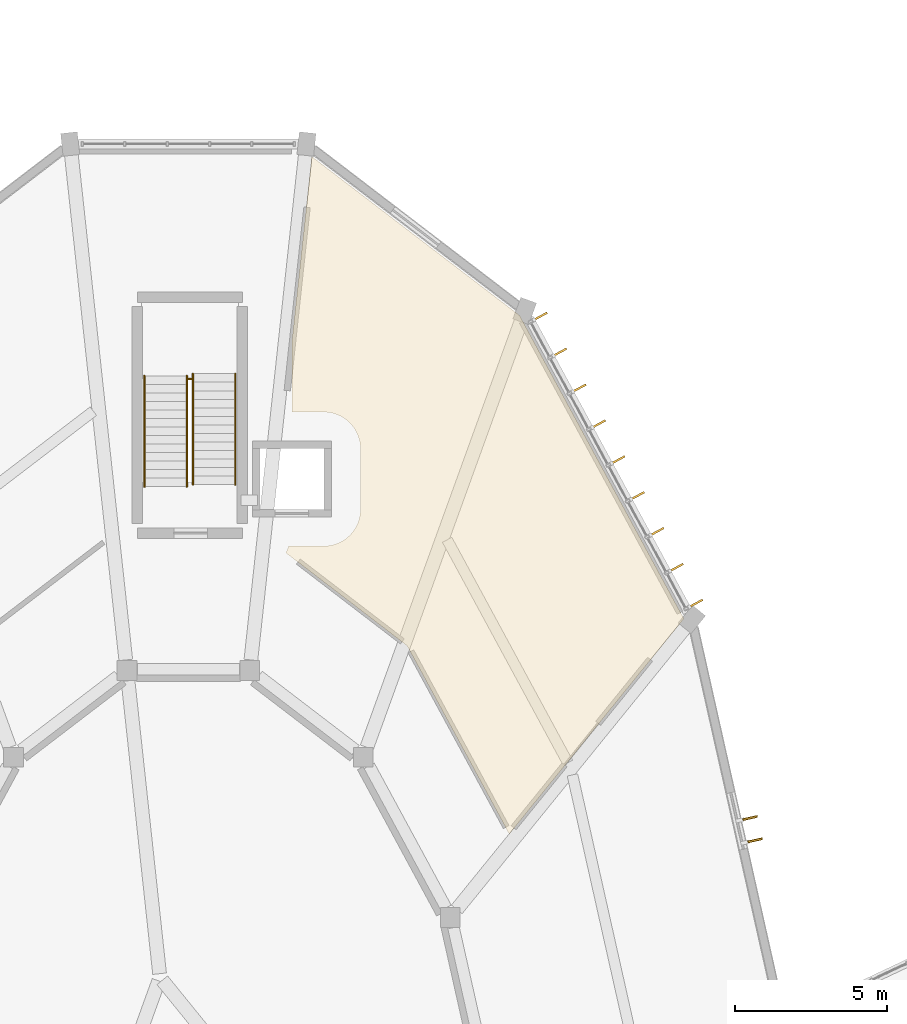
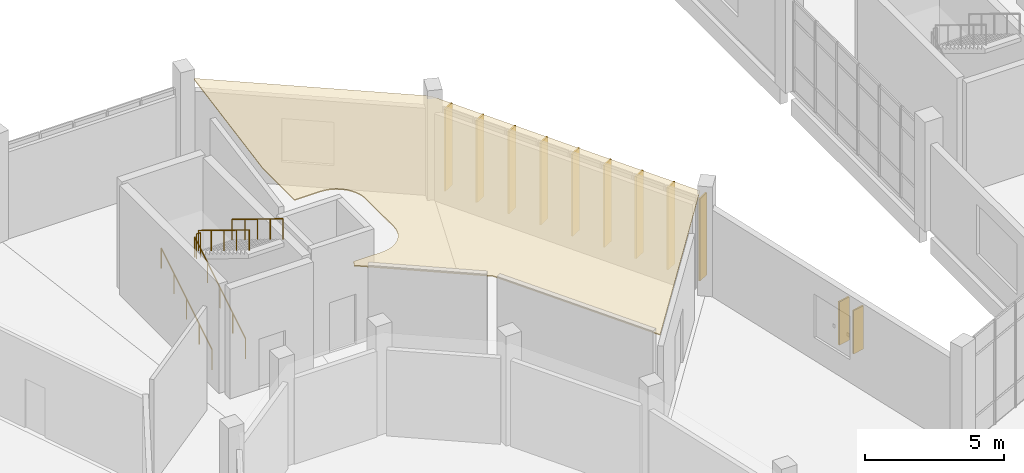
# One storey, part 174 of 179: 11 shading devices, 5 railings, 1 covering.
"""IFC4 building model written with IfcOpenShell, lengths in metres."""

from ifc_helpers import new_model, si_unit, direction, frame, origin, origin_2d, place, context, subcontext, project, spatial, polyline, rectangle, circle, outline, extrude, material, layer, layer_set, type_object, element, save


model = new_model("IFC4")

# Units and contexts
model_context = context("Model", 3, precision=1e-05, world=origin(), true_north=direction((0.0, 1.0)))
body_context = subcontext(model_context, "Body", "Model", "MODEL_VIEW")
ifc_project = project(units=[si_unit("LENGTHUNIT", "METRE"), si_unit("AREAUNIT", "SQUARE_METRE"), si_unit("VOLUMEUNIT", "CUBIC_METRE"), si_unit("PLANEANGLEUNIT", "RADIAN"), si_unit("MASSUNIT", "GRAM", prefix="KILO")], contexts=[model_context])

# Site, building, storey
site_placement = place(None, origin())
site = spatial("IfcSite", under=ifc_project, at=site_placement, CompositionType="ELEMENT")
building_placement = place(site_placement, origin())
building = spatial("IfcBuilding", under=site, at=building_placement, Name="Corvandel Quay Wholesale Market", CompositionType="ELEMENT")
storey_placement = place(building_placement, frame((0.0, 0.0, 6.0)))
storey = spatial("IfcBuildingStorey", under=building, at=storey_placement, Name="L01", CompositionType="ELEMENT", Elevation=6.0)

# Covering
ifc_material_1 = material(Name="Perforated powder-coated aluminium acoustic panel", Category="aluminium")
ifc_layer_1 = layer(ifc_material_1, 0.044921875)
ifc_layer_set_1 = layer_set([ifc_layer_1], Name="Perforated powder-coated aluminium acoustic panel")
covering_type = type_object("IfcCoveringType", Name="Perforated Acoustic Baffle Ceiling CLG01", PredefinedType="CEILING", material=ifc_layer_set_1)
covering_placement = place(storey_placement, frame((0.0, 0.0, 4.389892578125)))
element("IfcCovering", 1, at=covering_placement, inside=storey, type_object=covering_type, Name="Suspended Ceiling CLG-017", PredefinedType="CEILING", context=body_context, shape_type="SweptSolid", body=[
    extrude(outline(polyline([(205.053955078125, 73.368896484375), (205.052978515625, 73.367919921875), (205.051025390625, 73.365966796875), (205.050048828125, 73.364990234375), (205.048095703125, 73.364990234375), (205.0458984375, 73.364013671875), (205.0439453125, 73.363037109375), (205.0419921875, 73.363037109375), (205.0400390625, 73.363037109375), (205.0380859375, 73.363037109375), (205.035888671875, 73.363037109375), (205.033935546875, 73.364013671875), (205.031982421875, 73.364013671875), (205.031005859375, 73.364990234375), (205.029052734375, 73.365966796875), (205.027099609375, 73.366943359375), (205.02587890625, 73.368896484375), (205.02490234375, 73.3701171875), (205.02294921875, 73.3720703125), (205.02197265625, 73.373046875), (201.68505859375, 79.52587890625), (197.700927734375, 82.580078125), (197.762939453125, 82.7109375), (197.794921875, 82.800048828125), (198.949951171875, 82.800048828125), (199.068115234375, 82.805908203125), (199.18408203125, 82.822998046875), (199.298095703125, 82.85205078125), (199.408935546875, 82.89111328125), (199.51611328125, 82.94189453125), (199.616943359375, 83.001953125), (199.7109375, 83.072021484375), (199.799072265625, 83.15087890625), (199.8779296875, 83.239013671875), (199.947998046875, 83.3330078125), (200.008056640625, 83.43408203125), (200.05908203125, 83.541015625), (200.097900390625, 83.652099609375), (200.126953125, 83.76611328125), (200.14404296875, 83.882080078125), (200.14990234375, 84.0), (200.14990234375, 86.0), (200.14404296875, 86.117919921875), (200.126953125, 86.23388671875), (200.097900390625, 86.347900390625), (200.05908203125, 86.458984375), (200.008056640625, 86.56591796875), (199.947998046875, 86.6669921875), (199.8779296875, 86.760986328125), (199.799072265625, 86.84912109375), (199.7109375, 86.927978515625), (199.616943359375, 86.998046875), (199.51611328125, 87.05810546875), (199.408935546875, 87.10888671875), (199.298095703125, 87.14794921875), (199.18408203125, 87.177001953125), (199.068115234375, 87.194091796875), (198.949951171875, 87.199951171875), (197.89990234375, 87.199951171875), (197.89990234375, 89.4990234375), (198.552001953125, 95.552001953125), (198.552001953125, 95.553955078125), (198.552978515625, 95.555908203125), (198.553955078125, 95.55810546875), (198.553955078125, 95.55908203125), (198.554931640625, 95.56103515625), (198.556884765625, 95.56298828125), (198.55810546875, 95.56396484375), (198.55908203125, 95.56494140625), (198.56103515625, 95.56689453125), (198.56201171875, 95.568115234375), (198.56396484375, 95.568115234375), (198.56591796875, 95.569091796875), (198.568115234375, 95.570068359375), (198.570068359375, 95.570068359375), (198.572021484375, 95.570068359375), (198.573974609375, 95.570068359375), (198.574951171875, 95.570068359375), (198.576904296875, 95.569091796875), (198.5791015625, 95.569091796875), (198.5810546875, 95.568115234375), (198.5830078125, 95.56689453125), (198.583984375, 95.56591796875), (205.37109375, 90.3759765625), (205.373046875, 90.375), (205.3740234375, 90.373046875), (205.375, 90.37109375), (205.376953125, 90.3701171875), (210.761962890625, 80.428955078125), (210.761962890625, 80.427001953125), (210.762939453125, 80.425048828125), (210.763916015625, 80.423095703125), (210.763916015625, 80.4208984375), (210.763916015625, 80.4189453125), (210.763916015625, 80.4169921875), (210.763916015625, 80.4150390625), (210.762939453125, 80.4130859375), (210.762939453125, 80.410888671875), (210.761962890625, 80.409912109375), (210.760986328125, 80.407958984375), (210.760009765625, 80.406005859375), (205.055908203125, 73.3701171875), (205.053955078125, 73.368896484375)])), origin(), (0.0, 0.0, 1.0), 0.045166015625),
])

# Railings
ifc_material_2 = material(Name="Painted galvanised tubular steel", Category="steel")
ifc_layer_2 = layer(ifc_material_2, 0.054931640625)
ifc_layer_set_2 = layer_set([ifc_layer_2], Name="Painted galvanised tubular steel")
railing_type_1 = type_object("IfcRailingType", Name="Stairwell Inner Guard Railing GR02 1100mm", PredefinedType="GUARDRAIL", material=ifc_layer_set_2)
railing_placement = place(storey_placement, frame((194.469970703125, 88.2900390625, 2.39990234375)))
element("IfcRailing", 2, at=railing_placement, inside=storey, type_object=railing_type_1, Name="Stair Landing Well Guard 0078", PredefinedType="GUARDRAIL", context=body_context, shape_type="SweptSolid", body=[
    extrude(circle(Radius=0.02392578125, at=origin_2d()), frame((0.0, 0.0, 1.076171875), z_axis=(1.0, 0.0, 0.0), x_axis=(0.0, 1.0, 0.0)), (0.0, 0.0, 1.0), 0.159912109375),
    extrude(circle(Radius=0.02099609375, at=origin_2d()), origin(), (0.0, 0.0, 1.0), 1.052001953125),
    extrude(circle(Radius=0.02099609375, at=origin_2d()), frame((0.159912109375, 0.0, 0.0)), (0.0, 0.0, 1.0), 1.052001953125),
])
ifc_material_3 = material(Name="Brushed austenitic stainless steel Grade 316", Category="steel")
ifc_layer_3 = layer(ifc_material_3, 0.048095703125)
ifc_layer_set_3 = layer_set([ifc_layer_3], Name="Brushed austenitic stainless steel Grade 316")
railing_type_2 = type_object("IfcRailingType", Name="Tubular Stainless Stair Handrail HR01 915mm", PredefinedType="HANDRAIL", material=ifc_layer_set_3)
for number, where, name in (
    (3, (193.06005859375, 84.75, 0.17138671875), "Stair Handrail 0074"),
    (4, (194.449951171875, 84.75, 0.17138671875), "Stair Handrail 0075"),
):
    element("IfcRailing", number, at=place(storey_placement, frame(where)), inside=storey, type_object=railing_type_2, Name=name, PredefinedType="HANDRAIL", context=body_context, shape_type="SweptSolid", body=[
        extrude(circle(Radius=0.02392578125, at=origin_2d()), frame((0.0, 0.0, 0.89111328125), z_axis=(0.0, 0.852850264322, 0.5221555579), x_axis=(-1.0, 0.0, 0.0)), (0.0, 0.0, 1.0), 4.267822265625),
        extrude(circle(Radius=0.02099609375, at=origin_2d()), origin(), (0.0, 0.0, 1.0), 0.866943359375),
        extrude(circle(Radius=0.02099609375, at=origin_2d()), frame((0.0, 0.909912109375, 0.55712890625)), (0.0, 0.0, 1.0), 0.866943359375),
        extrude(circle(Radius=0.02099609375, at=origin_2d()), frame((0.0, 1.81982421875, 1.1142578125)), (0.0, 0.0, 1.0), 0.866943359375),
        extrude(circle(Radius=0.02099609375, at=origin_2d()), frame((0.0, 2.72998046875, 1.67138671875)), (0.0, 0.0, 1.0), 0.866943359375),
        extrude(circle(Radius=0.02099609375, at=origin_2d()), frame((0.0, 3.639892578125, 2.228515625)), (0.0, 0.0, 1.0), 0.866943359375),
    ])
for number, where, name in (
    (5, (194.64990234375, 88.4599609375, 2.5712890625), "Stair Handrail 0076"),
    (6, (196.0400390625, 88.4599609375, 2.5712890625), "Stair Handrail 0077"),
):
    element("IfcRailing", number, at=place(storey_placement, frame(where)), inside=storey, type_object=railing_type_2, Name=name, PredefinedType="HANDRAIL", context=body_context, shape_type="SweptSolid", body=[
        extrude(circle(Radius=0.02392578125, at=origin_2d()), frame((0.0, 0.0, 0.89111328125), z_axis=(0.0, -0.852824790078, 0.522197163366), x_axis=(1.0, 0.0, 0.0)), (0.0, 0.0, 1.0), 4.26806640625),
        extrude(circle(Radius=0.02099609375, at=origin_2d()), origin(), (0.0, 0.0, 1.0), 0.866943359375),
        extrude(circle(Radius=0.02099609375, at=origin_2d()), frame((0.0, -0.909912109375, 0.55712890625)), (0.0, 0.0, 1.0), 0.866943359375),
        extrude(circle(Radius=0.02099609375, at=origin_2d()), frame((0.0, -1.81982421875, 1.1142578125)), (0.0, 0.0, 1.0), 0.866943359375),
        extrude(circle(Radius=0.02099609375, at=origin_2d()), frame((0.0, -2.72998046875, 1.671630859375)), (0.0, 0.0, 1.0), 0.866943359375),
        extrude(circle(Radius=0.02099609375, at=origin_2d()), frame((0.0, -3.639892578125, 2.228759765625)), (0.0, 0.0, 1.0), 0.866943359375),
    ])

# Shading devices
ifc_material_4 = material(Name="Bronze anodised extruded aluminium 6063-T6", Category="aluminium")
shading_device_type = type_object("IfcShadingDeviceType", Name="Vertical Anodised Bronze Solar Fin FN01 480mm", PredefinedType="JALOUSIE", material=ifc_material_4)
for number, where, z_axis, x_axis, name in (
    (7, (213.10888671875, 73.14111328125, 1.0), (0.0, 0.0, 1.0), (0.975726024471, 0.218994806262, 0.0), "Solar Fin 0450"),
    (8, (212.94482421875, 73.872802734375, 1.0), (0.0, 0.0, 1.0), (0.975726024471, 0.218994806262, 0.0), "Solar Fin 0451"),
):
    element("IfcShadingDevice", number, at=place(storey_placement, frame(where, z_axis=z_axis, x_axis=x_axis)), inside=storey, type_object=shading_device_type, Name=name, PredefinedType="JALOUSIE", context=body_context, shape_type="SweptSolid", body=[
        extrude(rectangle(XDim=0.47998046875, YDim=0.06494140625, at=origin_2d()), origin(), (0.0, 0.0, 1.0), 1.89990234375),
    ])
for number, where, z_axis, x_axis, name in (
    (9, (211.174560546875, 80.9248046875, 0.175048828125), (0.0, 0.0, 1.0), (0.879316310191, 0.476238203668, 0.0), "Solar Fin 0457"),
    (10, (210.53662109375, 82.1025390625, 0.175048828125), (0.0, 0.0, 1.0), (0.879316310191, 0.476238203668, 0.0), "Solar Fin 0458"),
    (11, (209.898681640625, 83.280517578125, 0.175048828125), (0.0, 0.0, 1.0), (0.879316310191, 0.476238203668, 0.0), "Solar Fin 0459"),
    (12, (209.260498046875, 84.45849609375, 0.175048828125), (0.0, 0.0, 1.0), (0.879316310191, 0.476238203668, 0.0), "Solar Fin 0460"),
    (13, (208.62255859375, 85.636474609375, 0.175048828125), (0.0, 0.0, 1.0), (0.879316310191, 0.476238203668, 0.0), "Solar Fin 0461"),
    (14, (207.984619140625, 86.814453125, 0.175048828125), (0.0, 0.0, 1.0), (0.879316310191, 0.476238203668, 0.0), "Solar Fin 0462"),
    (15, (207.3466796875, 87.992431640625, 0.175048828125), (0.0, 0.0, 1.0), (0.879316310191, 0.476238203668, 0.0), "Solar Fin 0463"),
    (16, (206.70849609375, 89.17041015625, 0.175048828125), (0.0, 0.0, 1.0), (0.879316310191, 0.476238203668, 0.0), "Solar Fin 0464"),
    (17, (206.070556640625, 90.348388671875, 0.175048828125), (0.0, 0.0, 1.0), (0.879316310191, 0.476238203668, 0.0), "Solar Fin 0465"),
):
    element("IfcShadingDevice", number, at=place(storey_placement, frame(where, z_axis=z_axis, x_axis=x_axis)), inside=storey, type_object=shading_device_type, Name=name, PredefinedType="JALOUSIE", context=body_context, shape_type="SweptSolid", body=[
        extrude(rectangle(XDim=0.47998046875, YDim=0.06494140625, at=origin_2d()), origin(), (0.0, 0.0, 1.0), 3.60009765625),
    ])

save(model, "model.ifc")
